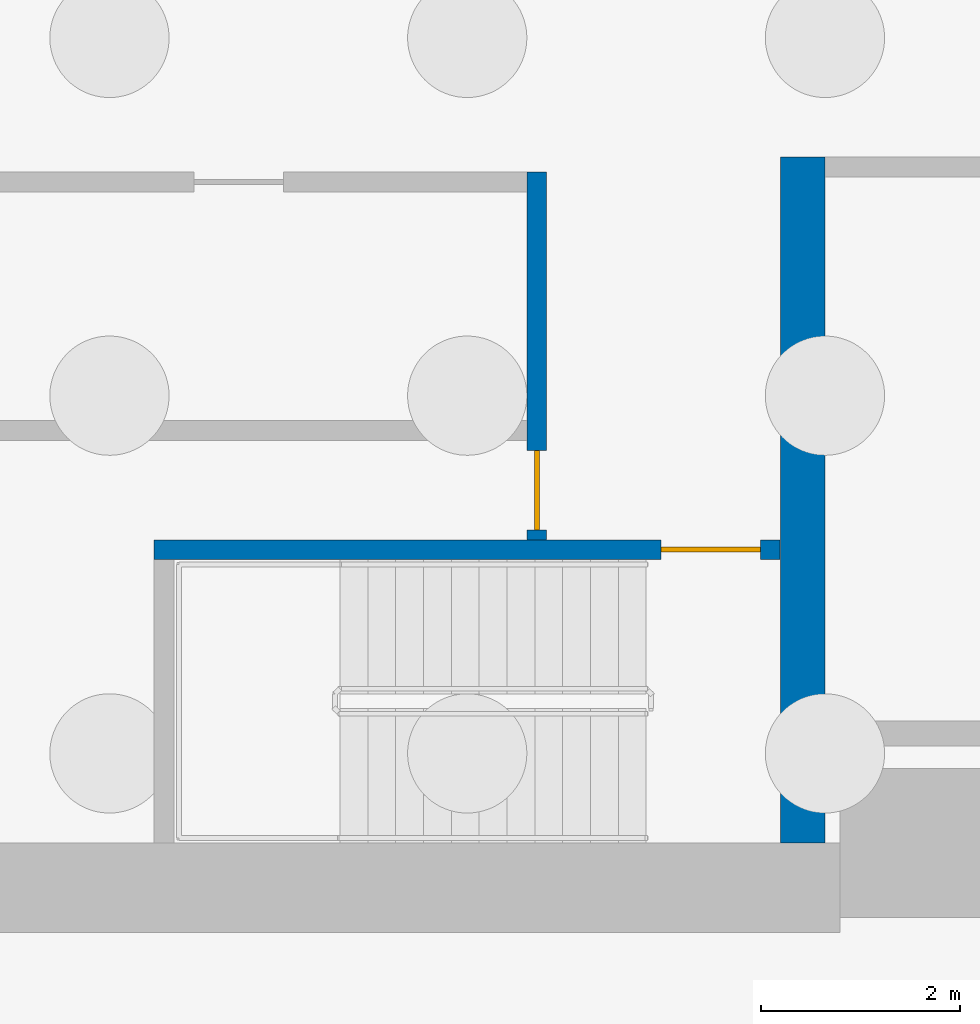
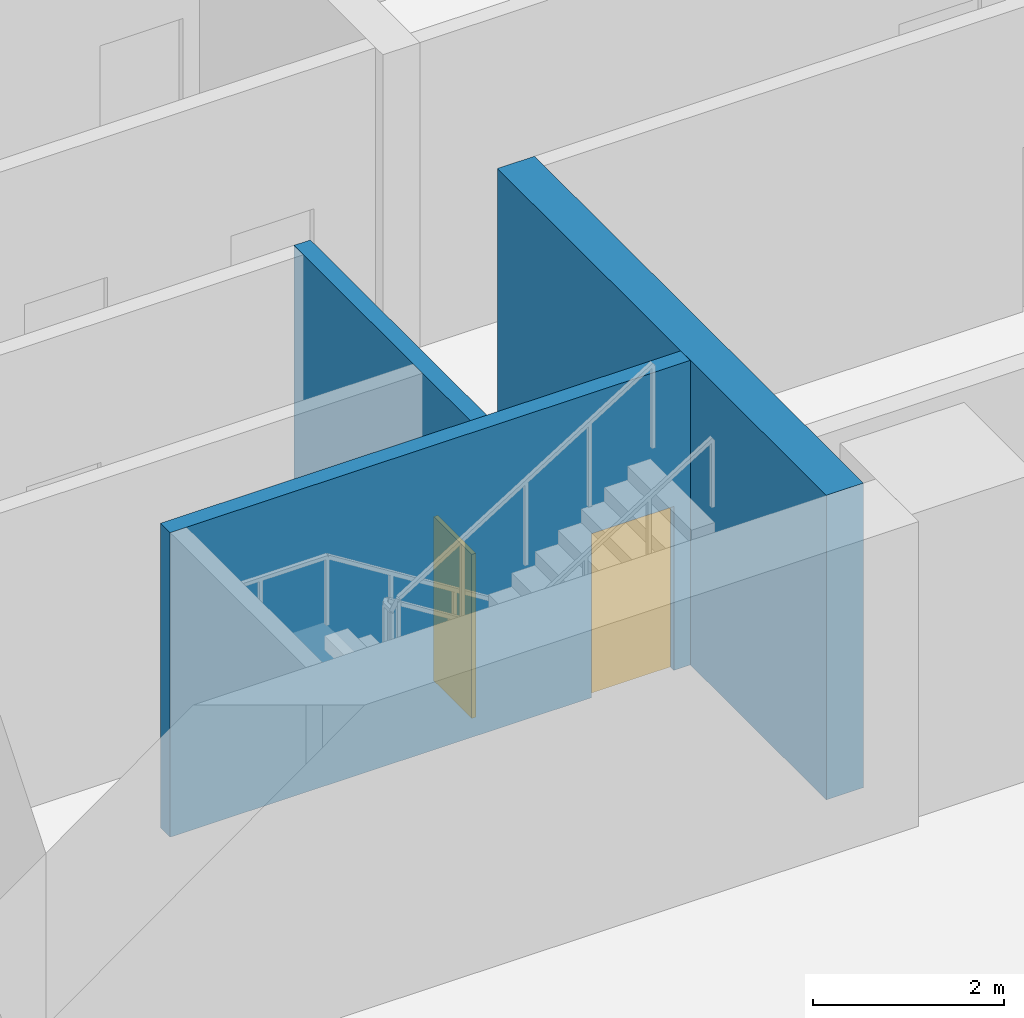
# One storey, part 3 of 11: 3 walls, 2 doors, 2 openings.
"""IFC4 building model written with IfcOpenShell, lengths in metres."""

from ifc_helpers import new_model, si_unit, direction, frame, frame_2d, origin, place, context, subcontext, project, spatial, rectangle, extrude, material, layer, layer_set, type_object, element, fill, save


model = new_model("IFC4")

# Units and contexts
model_context = context("Model", 3, precision=1e-05, world=origin(), true_north=direction((0.0, 1.0)))
body_context = subcontext(model_context, "Body", "Model", "MODEL_VIEW")
ifc_project = project(units=[si_unit("LENGTHUNIT", "METRE"), si_unit("AREAUNIT", "SQUARE_METRE"), si_unit("VOLUMEUNIT", "CUBIC_METRE"), si_unit("PLANEANGLEUNIT", "RADIAN"), si_unit("MASSUNIT", "GRAM", prefix="KILO")], contexts=[model_context])

# Site, building, storey
site_placement = place(None, origin())
site = spatial("IfcSite", under=ifc_project, at=site_placement, CompositionType="ELEMENT")
building_placement = place(site_placement, origin())
building = spatial("IfcBuilding", under=site, at=building_placement, Name="Perihelion Cross Residences", CompositionType="ELEMENT")
storey_placement = place(building_placement, frame((0.0, 0.0, -17.10009765625)))
storey = spatial("IfcBuildingStorey", under=building, at=storey_placement, Name="B4", CompositionType="ELEMENT", Elevation=-17.10009765625)

# Wall
ifc_material_1 = material(Name="Concrete C60/75", Category="concrete")
ifc_layer_1 = layer(ifc_material_1, 0.449951171875)
ifc_layer_set_1 = layer_set([ifc_layer_1], Name="Core wall, inner 450")
wall_type_1 = type_object("IfcWallType", Name="Core wall, inner 450", PredefinedType="SHEAR", material=ifc_layer_set_1)
wall_1_placement = place(storey_placement, frame((-21.824951171875, -8.10009765625, 0.0), z_axis=(0.0, 0.0, 1.0), x_axis=(0.0, 1.0, 0.0)))
element("IfcWall", 1, at=wall_1_placement, inside=storey, type_object=wall_type_1, Name="West core core wall, inner", PredefinedType="SHEAR", context=body_context, shape_type="SweptSolid", body=[
    extrude(rectangle(XDim=6.900146484375, YDim=0.449951171875, at=frame_2d((3.4501953125, 0.0))), origin(), (0.0, 0.0, 1.0), 3.900146484375),
])

# Wall, opening, door
ifc_material_2 = material(Name="Concrete C50/60", Category="concrete")
ifc_layer_2 = layer(ifc_material_2, 0.199951171875)
ifc_layer_set_2 = layer_set([ifc_layer_2], Name="Lobby wall 200")
wall_type_2 = type_object("IfcWallType", Name="Lobby wall 200", PredefinedType="SOLIDWALL", material=ifc_layer_set_2)
wall_2_placement = place(storey_placement, frame((-24.5, -5.050048828125, 0.0), z_axis=(0.0, 0.0, 1.0), x_axis=(0.0, 1.0, 0.0)))
wall_2 = element("IfcWall", 2, at=wall_2_placement, inside=storey, type_object=wall_type_2, Name="West core lobby wall", PredefinedType="SOLIDWALL", context=body_context, shape_type="SweptSolid", body=[
    extrude(rectangle(XDim=3.699951171875, YDim=0.199951171875, at=frame_2d((1.85009765625, 0.0))), origin(), (0.0, 0.0, 1.0), 3.900146484375),
])
opening_1_placement = place(wall_2_placement, frame((0.10009765625, 0.0, 0.0)))
opening_1 = element("IfcOpeningElement", 3, at=opening_1_placement, cuts=wall_2, Name="Opening B4.C16", PredefinedType="OPENING", context=body_context, shape_type="SweptSolid", body=[
    extrude(rectangle(XDim=0.800048828125, YDim=2.10009765625, at=frame_2d((0.39990234375, 1.050048828125))), frame((0.0, 0.10986328125, 0.0), z_axis=(0.0, -1.0, 0.0), x_axis=(1.0, 0.0, 0.0)), (0.0, 0.0, 1.0), 0.219970703125),
])
ifc_material_3 = material(Name="Steel, powder coated", Category="steel")
door_type_1 = type_object("IfcDoorType", Name="Riser door 800", OperationType="SINGLE_SWING_LEFT", PredefinedType="DOOR", material=ifc_material_3)
door_1_placement = place(opening_1_placement, origin())
door_1 = element("IfcDoor", 4, at=door_1_placement, inside=storey, type_object=door_type_1, Name="West core riser door", OperationType="SINGLE_SWING_LEFT", OverallHeight=2.10009765625, OverallWidth=0.800048828125, PredefinedType="DOOR", context=body_context, shape_type="SweptSolid", body=[
    extrude(rectangle(XDim=0.800048828125, YDim=2.10009765625, at=frame_2d((0.39990234375, 1.050048828125))), frame((0.0, 0.02490234375, 0.0), z_axis=(0.0, -1.0, 0.0), x_axis=(1.0, 0.0, 0.0)), (0.0, 0.0, 1.0), 0.050048828125),
])
fill(opening_1, door_1)

ifc_material_4 = material(Name="Concrete C50/60", Category="concrete")
ifc_layer_3 = layer(ifc_material_4, 0.199951171875)
ifc_layer_set_3 = layer_set([ifc_layer_3], Name="Stair wall 200")
wall_type_3 = type_object("IfcWallType", Name="Stair wall 200", PredefinedType="SOLIDWALL", material=ifc_layer_set_3)
wall_3_placement = place(storey_placement, frame((-28.35009765625, -5.14990234375, 0.0), z_axis=(0.0, 0.0, 1.0), x_axis=(1.0, 0.0, 0.0)))
wall_3 = element("IfcWall", 5, at=wall_3_placement, inside=storey, type_object=wall_type_3, Name="West core stair wall", PredefinedType="SOLIDWALL", context=body_context, shape_type="SweptSolid", body=[
    extrude(rectangle(XDim=6.300048828125, YDim=0.199951171875, at=frame_2d((3.14990234375, 0.0))), origin(), (0.0, 0.0, 1.0), 3.900146484375),
])
opening_2_placement = place(wall_3_placement, frame((5.10009765625, 0.0, 0.0)))
opening_2 = element("IfcOpeningElement", 6, at=opening_2_placement, cuts=wall_3, Name="Opening B4.C13", PredefinedType="OPENING", context=body_context, shape_type="SweptSolid", body=[
    extrude(rectangle(XDim=1.0, YDim=2.10009765625, at=frame_2d((0.5, 1.050048828125))), frame((0.0, 0.10986328125, 0.0), z_axis=(0.0, -1.0, 0.0), x_axis=(1.0, 0.0, 0.0)), (0.0, 0.0, 1.0), 0.219970703125),
])
ifc_material_5 = material(Name="Steel, powder coated", Category="steel")
door_type_2 = type_object("IfcDoorType", Name="Stair door 1000", OperationType="SINGLE_SWING_LEFT", PredefinedType="DOOR", material=ifc_material_5)
door_2_placement = place(opening_2_placement, origin())
door_2 = element("IfcDoor", 7, at=door_2_placement, inside=storey, type_object=door_type_2, Name="West core stair door", OperationType="SINGLE_SWING_LEFT", OverallHeight=2.10009765625, OverallWidth=1.0, PredefinedType="DOOR", context=body_context, shape_type="SweptSolid", body=[
    extrude(rectangle(XDim=1.0, YDim=2.10009765625, at=frame_2d((0.5, 1.050048828125))), frame((0.0, 0.02490234375, 0.0), z_axis=(0.0, -1.0, 0.0), x_axis=(1.0, 0.0, 0.0)), (0.0, 0.0, 1.0), 0.050048828125),
])
fill(opening_2, door_2)

save(model, "model.ifc")
